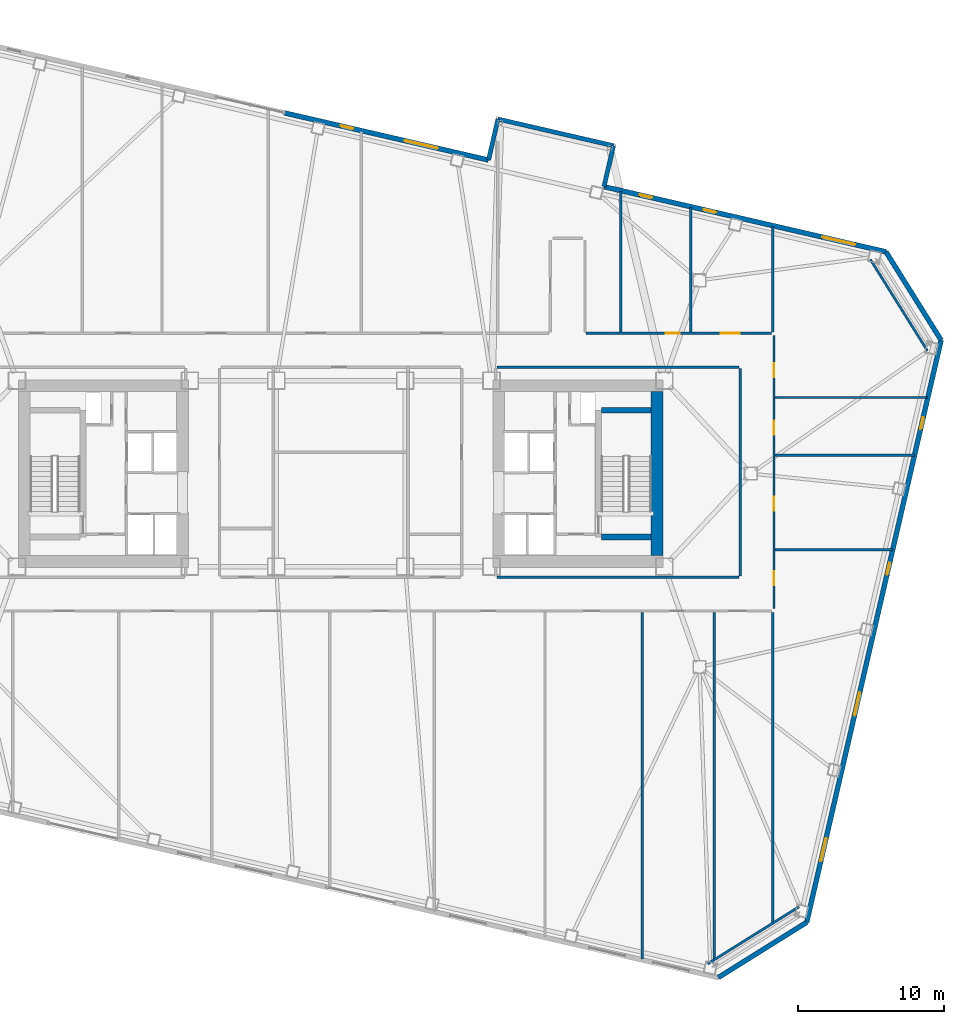
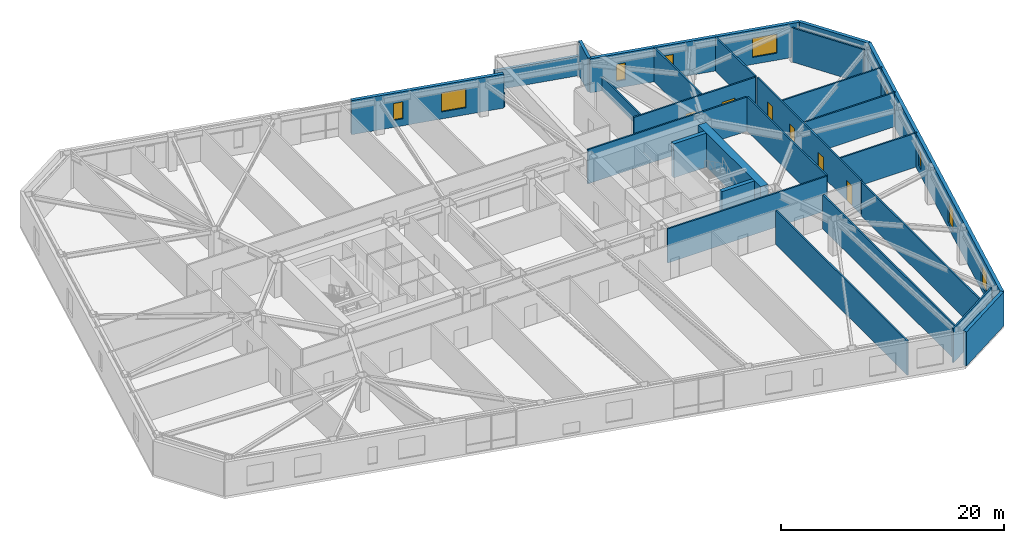
# One storey, part 14 of 20: 27 walls, 9 windows, 6 doors, 15 openings.
"""IFC4 building model written with IfcOpenShell, lengths in metres."""

from ifc_helpers import new_model, si_unit, direction, frame, frame_2d, origin, place, context, subcontext, project, spatial, rectangle, extrude, material, layer, layer_set, type_object, element, fill, save


model = new_model("IFC4")

# Units and contexts
model_context = context("Model", 3, precision=1e-05, world=origin(), true_north=direction((0.0, 1.0)))
body_context = subcontext(model_context, "Body", "Model", "MODEL_VIEW")
ifc_project = project(units=[si_unit("LENGTHUNIT", "METRE"), si_unit("AREAUNIT", "SQUARE_METRE"), si_unit("VOLUMEUNIT", "CUBIC_METRE"), si_unit("PLANEANGLEUNIT", "RADIAN"), si_unit("MASSUNIT", "GRAM", prefix="KILO")], contexts=[model_context])

# Site, building, storey
site_placement = place(None, origin())
site = spatial("IfcSite", under=ifc_project, at=site_placement, CompositionType="ELEMENT")
building_placement = place(site_placement, origin())
building = spatial("IfcBuilding", under=site, at=building_placement, Name="Tavrogorsk Clinical Tower", CompositionType="ELEMENT")
storey_placement = place(building_placement, frame((0.0, 0.0, 67.39990234375)))
storey = spatial("IfcBuildingStorey", under=building, at=storey_placement, Name="L14", CompositionType="ELEMENT", Elevation=67.39990234375)

# Walls
ifc_material_1 = material(Name="Lightweight concrete blockwork B15", Category="masonry")
ifc_layer_1 = layer(ifc_material_1, 0.159912109375)
ifc_layer_set_1 = layer_set([ifc_layer_1], Name="Lightweight concrete blockwork B15")
wall_type_1 = type_object("IfcWallType", Name="PartitionWall_160", PredefinedType="PARTITIONING", material=ifc_layer_set_1)
for number, where, z_axis, x_axis, name in (
    (1, (25.0595703125, -33.46826171875, 0.0), (0.0, 0.0, 1.0), (0.848043064089, 0.529927317139, 0.0), "L14 Corner Exoskeleton Brace Furring Wall 1"),
    (2, (40.059814453125, 8.389404296875, 0.0), (0.0, 0.0, 1.0), (-0.529927317139, 0.848043064089, 0.0), "L14 Corner Exoskeleton Brace Furring Wall 2"),
):
    element("IfcWall", number, at=place(storey_placement, frame(where, z_axis=z_axis, x_axis=x_axis)), inside=storey, type_object=wall_type_1, Name=name, PredefinedType="PARTITIONING", context=body_context, shape_type="SweptSolid", body=[
        extrude(rectangle(XDim=7.353759765625, YDim=0.159912109375, at=frame_2d((3.6767578125, 0.0))), origin(), (0.0, 0.0, 1.0), 3.739990234375),
    ])

# Wall, openings, doors
wall_1_placement = place(storey_placement, frame((16.764892578125, 9.580078125, 0.0), z_axis=(0.0, 0.0, 1.0), x_axis=(1.0, 0.0, 0.0)))
wall_1 = element("IfcWall", 3, at=wall_1_placement, inside=storey, type_object=wall_type_1, Name="L14 Corridor Partition 06", PredefinedType="PARTITIONING", context=body_context, shape_type="SweptSolid", body=[
    extrude(rectangle(XDim=12.650146484375, YDim=0.159912109375, at=frame_2d((6.3251953125, 0.0))), origin(), (0.0, 0.0, 1.0), 3.739990234375),
])
opening_1_placement = place(wall_1_placement, frame((5.4384765625, 0.0, 0.0)))
opening_1 = element("IfcOpeningElement", 4, at=opening_1_placement, cuts=wall_1, Name="Opening ID-02", PredefinedType="OPENING", context=body_context, shape_type="SweptSolid", body=[
    extrude(rectangle(XDim=0.949951171875, YDim=2.199951171875, at=frame_2d((0.47509765625, 1.10009765625))), frame((0.0, 0.08984375, 0.0), z_axis=(0.0, -1.0, 0.0), x_axis=(1.0, 0.0, 0.0)), (0.0, 0.0, 1.0), 0.179931640625),
])
opening_2_placement = place(wall_1_placement, frame((9.17578125, 0.0, 0.0)))
opening_2 = element("IfcOpeningElement", 5, at=opening_2_placement, cuts=wall_1, Name="Opening ID-01", PredefinedType="OPENING", context=body_context, shape_type="SweptSolid", body=[
    extrude(rectangle(XDim=1.300048828125, YDim=2.199951171875, at=frame_2d((0.64990234375, 1.10009765625))), frame((0.0, 0.08984375, 0.0), z_axis=(0.0, -1.0, 0.0), x_axis=(1.0, 0.0, 0.0)), (0.0, 0.0, 1.0), 0.179931640625),
])
ifc_material_2 = material(Name="Laminated timber leaf on aluminium frame", Category="wood")
door_type_1 = type_object("IfcDoorType", Name="InteriorDoor_ID02_950", OperationType="NOTDEFINED", PredefinedType="DOOR", material=ifc_material_2)
door_1_placement = place(opening_1_placement, origin())
door_1 = element("IfcDoor", 6, at=door_1_placement, inside=storey, type_object=door_type_1, Name="L14 North Multidisciplinary Case Room 05 Door", OperationType="SINGLE_SWING_RIGHT", OverallHeight=2.199951171875, OverallWidth=0.949951171875, PredefinedType="DOOR", context=body_context, shape_type="SweptSolid", body=[
    extrude(rectangle(XDim=0.949951171875, YDim=2.199951171875, at=frame_2d((0.47509765625, 1.10009765625))), frame((0.0, 0.02490234375, 0.0), z_axis=(0.0, -1.0, 0.0), x_axis=(1.0, 0.0, 0.0)), (0.0, 0.0, 1.0), 0.050048828125),
])
fill(opening_1, door_1)
ifc_material_3 = material(Name="Antibacterial HPL medical leaf on aluminium frame", Category="aluminium")
door_type_2 = type_object("IfcDoorType", Name="WardBedDoor_ID01_1300", OperationType="NOTDEFINED", PredefinedType="DOOR", material=ifc_material_3)
door_2_placement = place(opening_2_placement, origin())
door_2 = element("IfcDoor", 7, at=door_2_placement, inside=storey, type_object=door_type_2, Name="L14 North Inpatient Clinical Ward 06 Door", OperationType="SINGLE_SWING_LEFT", OverallHeight=2.199951171875, OverallWidth=1.300048828125, PredefinedType="DOOR", context=body_context, shape_type="SweptSolid", body=[
    extrude(rectangle(XDim=1.300048828125, YDim=2.199951171875, at=frame_2d((0.64990234375, 1.10009765625))), frame((0.0, 0.02490234375, 0.0), z_axis=(0.0, -1.0, 0.0), x_axis=(1.0, 0.0, 0.0)), (0.0, 0.0, 1.0), 0.050048828125),
])
fill(opening_2, door_2)

wall_2_placement = place(storey_placement, frame((29.580078125, 9.4150390625, 0.0), z_axis=(0.0, 0.0, 1.0), x_axis=(0.0, -1.0, 0.0)))
wall_2 = element("IfcWall", 8, at=wall_2_placement, inside=storey, type_object=wall_type_1, Name="L14 Corridor Partition 07", PredefinedType="PARTITIONING", context=body_context, shape_type="SweptSolid", body=[
    extrude(rectangle(XDim=18.630126953125, YDim=0.159912109375, at=frame_2d((9.31494140625, 0.0))), origin(), (0.0, 0.0, 1.0), 3.739990234375),
])
opening_3_placement = place(wall_2_placement, frame((16.080810546875, 0.0, 0.0)))
opening_3 = element("IfcOpeningElement", 9, at=opening_3_placement, cuts=wall_2, Name="Opening ID-02", PredefinedType="OPENING", context=body_context, shape_type="SweptSolid", body=[
    extrude(rectangle(XDim=0.949951171875, YDim=2.199951171875, at=frame_2d((0.47509765625, 1.10009765625))), frame((0.0, 0.08984375, 0.0), z_axis=(0.0, -1.0, 0.0), x_axis=(1.0, 0.0, 0.0)), (0.0, 0.0, 1.0), 0.179931640625),
])
opening_4_placement = place(wall_2_placement, frame((11.0, 0.0, 0.0)))
opening_4 = element("IfcOpeningElement", 10, at=opening_4_placement, cuts=wall_2, Name="Opening ID-02", PredefinedType="OPENING", context=body_context, shape_type="SweptSolid", body=[
    extrude(rectangle(XDim=0.949951171875, YDim=2.199951171875, at=frame_2d((0.47509765625, 1.10009765625))), frame((0.0, 0.08984375, 0.0), z_axis=(0.0, -1.0, 0.0), x_axis=(1.0, 0.0, 0.0)), (0.0, 0.0, 1.0), 0.179931640625),
])
opening_5_placement = place(wall_2_placement, frame((5.800048828125, 0.0, 0.0)))
opening_5 = element("IfcOpeningElement", 11, at=opening_5_placement, cuts=wall_2, Name="Opening ID-02", PredefinedType="OPENING", context=body_context, shape_type="SweptSolid", body=[
    extrude(rectangle(XDim=0.949951171875, YDim=2.199951171875, at=frame_2d((0.47509765625, 1.10009765625))), frame((0.0, 0.08984375, 0.0), z_axis=(0.0, -1.0, 0.0), x_axis=(1.0, 0.0, 0.0)), (0.0, 0.0, 1.0), 0.179931640625),
])
opening_6_placement = place(wall_2_placement, frame((1.869140625, 0.0, 0.0)))
opening_6 = element("IfcOpeningElement", 12, at=opening_6_placement, cuts=wall_2, Name="Opening ID-02", PredefinedType="OPENING", context=body_context, shape_type="SweptSolid", body=[
    extrude(rectangle(XDim=0.949951171875, YDim=2.199951171875, at=frame_2d((0.47509765625, 1.10009765625))), frame((0.0, 0.08984375, 0.0), z_axis=(0.0, -1.0, 0.0), x_axis=(1.0, 0.0, 0.0)), (0.0, 0.0, 1.0), 0.179931640625),
])
door_3_placement = place(opening_3_placement, origin())
door_3 = element("IfcDoor", 13, at=door_3_placement, inside=storey, type_object=door_type_1, Name="L14 E Senior Clinician Suite 1 Door", OperationType="SINGLE_SWING_LEFT", OverallHeight=2.199951171875, OverallWidth=0.949951171875, PredefinedType="DOOR", context=body_context, shape_type="SweptSolid", body=[
    extrude(rectangle(XDim=0.949951171875, YDim=2.199951171875, at=frame_2d((0.47509765625, 1.10009765625))), frame((0.0, 0.02490234375, 0.0), z_axis=(0.0, -1.0, 0.0), x_axis=(1.0, 0.0, 0.0)), (0.0, 0.0, 1.0), 0.050048828125),
])
fill(opening_3, door_3)
door_4_placement = place(opening_4_placement, origin())
door_4 = element("IfcDoor", 14, at=door_4_placement, inside=storey, type_object=door_type_1, Name="L14 E Multidisciplinary Seminar Suite 2 Door", OperationType="SINGLE_SWING_RIGHT", OverallHeight=2.199951171875, OverallWidth=0.949951171875, PredefinedType="DOOR", context=body_context, shape_type="SweptSolid", body=[
    extrude(rectangle(XDim=0.949951171875, YDim=2.199951171875, at=frame_2d((0.47509765625, 1.10009765625))), frame((0.0, 0.02490234375, 0.0), z_axis=(0.0, -1.0, 0.0), x_axis=(1.0, 0.0, 0.0)), (0.0, 0.0, 1.0), 0.050048828125),
])
fill(opening_4, door_4)
door_5_placement = place(opening_5_placement, origin())
door_5 = element("IfcDoor", 15, at=door_5_placement, inside=storey, type_object=door_type_1, Name="L14 E Specialist Consultation Room 3 Door", OperationType="SINGLE_SWING_LEFT", OverallHeight=2.199951171875, OverallWidth=0.949951171875, PredefinedType="DOOR", context=body_context, shape_type="SweptSolid", body=[
    extrude(rectangle(XDim=0.949951171875, YDim=2.199951171875, at=frame_2d((0.47509765625, 1.10009765625))), frame((0.0, 0.02490234375, 0.0), z_axis=(0.0, -1.0, 0.0), x_axis=(1.0, 0.0, 0.0)), (0.0, 0.0, 1.0), 0.050048828125),
])
fill(opening_5, door_5)
door_6_placement = place(opening_6_placement, origin())
door_6 = element("IfcDoor", 16, at=door_6_placement, inside=storey, type_object=door_type_1, Name="L14 E Clinical Fellows' Study 4 Door", OperationType="SINGLE_SWING_RIGHT", OverallHeight=2.199951171875, OverallWidth=0.949951171875, PredefinedType="DOOR", context=body_context, shape_type="SweptSolid", body=[
    extrude(rectangle(XDim=0.949951171875, YDim=2.199951171875, at=frame_2d((0.47509765625, 1.10009765625))), frame((0.0, 0.02490234375, 0.0), z_axis=(0.0, -1.0, 0.0), x_axis=(1.0, 0.0, 0.0)), (0.0, 0.0, 1.0), 0.050048828125),
])
fill(opening_6, door_6)

# Walls
for number, where, z_axis, x_axis, name in (
    (17, (27.18505859375, 7.27001953125, 0.0), (0.0, 0.0, 1.0), (-1.0, 0.0, 0.0), "L14 Corridor Partition 09"),
    (18, (10.6650390625, -7.070068359375, 0.0), (0.0, 0.0, 1.0), (1.0, 0.0, 0.0), "L14 Corridor Partition 12"),
):
    element("IfcWall", number, at=place(storey_placement, frame(where, z_axis=z_axis, x_axis=x_axis)), inside=storey, type_object=wall_type_1, Name=name, PredefinedType="PARTITIONING", context=body_context, shape_type="SweptSolid", body=[
        extrude(rectangle(XDim=16.52001953125, YDim=0.159912109375, at=frame_2d((8.260009765625, 0.0))), origin(), (0.0, 0.0, 1.0), 3.739990234375),
    ])
wall_3_placement = place(storey_placement, frame((27.27001953125, -6.985107421875, 0.0), z_axis=(0.0, 0.0, 1.0), x_axis=(0.0, 1.0, 0.0)))
element("IfcWall", 19, at=wall_3_placement, inside=storey, type_object=wall_type_1, Name="L14 Corridor Partition 13", PredefinedType="PARTITIONING", context=body_context, shape_type="SweptSolid", body=[
    extrude(rectangle(XDim=14.170166015625, YDim=0.159912109375, at=frame_2d((7.0849609375, 0.0))), origin(), (0.0, 0.0, 1.0), 3.739990234375),
])
wall_4_placement = place(storey_placement, frame((29.5, 9.6650390625, 0.0), z_axis=(0.0, 0.0, 1.0), x_axis=(0.0, 1.0, 0.0)))
element("IfcWall", 20, at=wall_4_placement, inside=storey, type_object=wall_type_1, Name="L14 NE Wing Closure Partition", PredefinedType="PARTITIONING", context=body_context, shape_type="SweptSolid", body=[
    extrude(rectangle(XDim=7.197265625, YDim=0.159912109375, at=frame_2d((3.5986328125, 0.0))), origin(), (0.0, 0.0, 1.0), 3.739990234375),
])
wall_5_placement = place(storey_placement, frame((29.5, -30.702880859375, 0.0), z_axis=(0.0, 0.0, 1.0), x_axis=(0.0, 1.0, 0.0)))
element("IfcWall", 21, at=wall_5_placement, inside=storey, type_object=wall_type_1, Name="L14 SE Wing Closure Partition", PredefinedType="PARTITIONING", context=body_context, shape_type="SweptSolid", body=[
    extrude(rectangle(XDim=21.23779296875, YDim=0.159912109375, at=frame_2d((10.618896484375, 0.0))), origin(), (0.0, 0.0, 1.0), 3.739990234375),
])
wall_6_placement = place(storey_placement, frame((19.126953125, 9.6650390625, 0.0), z_axis=(0.0, 0.0, 1.0), x_axis=(0.0, 1.0, 0.0)))
element("IfcWall", 22, at=wall_6_placement, inside=storey, type_object=wall_type_1, Name="L14 North Room Partition 4", PredefinedType="PARTITIONING", context=body_context, shape_type="SweptSolid", body=[
    extrude(rectangle(XDim=9.592041015625, YDim=0.159912109375, at=frame_2d((4.7958984375, 0.0))), origin(), (0.0, 0.0, 1.0), 1.53515625),
])
wall_7_placement = place(storey_placement, frame((23.89990234375, 9.6650390625, 0.0), z_axis=(0.0, 0.0, 1.0), x_axis=(0.0, 1.0, 0.0)))
element("IfcWall", 23, at=wall_7_placement, inside=storey, type_object=wall_type_1, Name="L14 North Room Partition 5", PredefinedType="PARTITIONING", context=body_context, shape_type="SweptSolid", body=[
    extrude(rectangle(XDim=8.490234375, YDim=0.159912109375, at=frame_2d((4.2451171875, 0.0))), origin(), (0.0, 0.0, 1.0), 3.739990234375),
])
wall_8_placement = place(storey_placement, frame((20.60009765625, -33.136962890625, 0.0), z_axis=(0.0, 0.0, 1.0), x_axis=(0.0, 1.0, 0.0)))
element("IfcWall", 24, at=wall_8_placement, inside=storey, type_object=wall_type_1, Name="L14 South Room Partition 4", PredefinedType="PARTITIONING", context=body_context, shape_type="SweptSolid", body=[
    extrude(rectangle(XDim=23.671875, YDim=0.159912109375, at=frame_2d((11.8359375, 0.0))), origin(), (0.0, 0.0, 1.0), 3.739990234375),
])
wall_9_placement = place(storey_placement, frame((25.5, -33.202392578125, 0.0), z_axis=(0.0, 0.0, 1.0), x_axis=(0.0, 1.0, 0.0)))
element("IfcWall", 25, at=wall_9_placement, inside=storey, type_object=wall_type_1, Name="L14 South Sub-Partition 5", PredefinedType="PARTITIONING", context=body_context, shape_type="SweptSolid", body=[
    extrude(rectangle(XDim=23.7373046875, YDim=0.159912109375, at=frame_2d((11.86865234375, 0.0))), origin(), (0.0, 0.0, 1.0), 3.739990234375),
])
wall_10_placement = place(storey_placement, frame((29.6650390625, -5.199951171875, 0.0), z_axis=(0.0, 0.0, 1.0), x_axis=(1.0, 0.0, 0.0)))
element("IfcWall", 26, at=wall_10_placement, inside=storey, type_object=wall_type_1, Name="L14 E Wing Divider 1", PredefinedType="PARTITIONING", context=body_context, shape_type="SweptSolid", body=[
    extrude(rectangle(XDim=8.007080078125, YDim=0.159912109375, at=frame_2d((4.00341796875, 0.0))), origin(), (0.0, 0.0, 1.0), 3.739990234375),
])
wall_11_placement = place(storey_placement, frame((29.6650390625, 1.25, 0.0), z_axis=(0.0, 0.0, 1.0), x_axis=(1.0, 0.0, 0.0)))
element("IfcWall", 27, at=wall_11_placement, inside=storey, type_object=wall_type_1, Name="L14 E Wing Divider 2", PredefinedType="PARTITIONING", context=body_context, shape_type="SweptSolid", body=[
    extrude(rectangle(XDim=9.496337890625, YDim=0.159912109375, at=frame_2d((4.748046875, 0.0))), origin(), (0.0, 0.0, 1.0), 3.739990234375),
])
wall_12_placement = place(storey_placement, frame((29.6650390625, 5.199951171875, 0.0), z_axis=(0.0, 0.0, 1.0), x_axis=(1.0, 0.0, 0.0)))
element("IfcWall", 28, at=wall_12_placement, inside=storey, type_object=wall_type_1, Name="L14 E Wing Divider 3", PredefinedType="PARTITIONING", context=body_context, shape_type="SweptSolid", body=[
    extrude(rectangle(XDim=10.408203125, YDim=0.159912109375, at=frame_2d((5.2041015625, 0.0))), origin(), (0.0, 0.0, 1.0), 3.739990234375),
])

# Wall, openings, windows
ifc_material_4 = material(Name="Precast concrete B45 with limestone cladding", Category="masonry")
ifc_layer_2 = layer(ifc_material_4, 0.340087890625)
ifc_layer_set_2 = layer_set([ifc_layer_2], Name="Precast concrete B45 with limestone cladding")
wall_type_2 = type_object("IfcWallType", Name="PrecastLimestoneWall_340", PredefinedType="STANDARD", material=ifc_layer_set_2)
wall_13_placement = place(storey_placement, frame((37.228515625, 15.14990234375, 0.0), z_axis=(0.0, 0.0, 1.0), x_axis=(-0.974368689865, 0.224957009695, 0.0)))
wall_13 = element("IfcWall", 29, at=wall_13_placement, inside=storey, type_object=wall_type_2, Name="L14 N Limestone Facade Wall 1", PredefinedType="STANDARD", context=body_context, shape_type="SweptSolid", body=[
    extrude(rectangle(XDim=19.749755859375, YDim=0.340087890625, at=frame_2d((9.875, 0.0))), origin(), (0.0, 0.0, 1.0), 3.739990234375),
])
opening_7_placement = place(wall_13_placement, frame((16.39501953125, 0.0, 0.77001953125)))
opening_7 = element("IfcOpeningElement", 30, at=opening_7_placement, cuts=wall_13, Name="Opening WN-06", PredefinedType="OPENING", context=body_context, shape_type="SweptSolid", body=[
    extrude(rectangle(XDim=0.85009765625, YDim=1.85009765625, at=frame_2d((0.425048828125, 0.925048828125))), frame((0.0, 0.179931640625, 0.0), z_axis=(0.0, -1.0, 0.0), x_axis=(1.0, 0.0, 0.0)), (0.0, 0.0, 1.0), 0.360107421875),
])
opening_8_placement = place(wall_13_placement, frame((11.91064453125, 0.0, 0.77001953125)))
opening_8 = element("IfcOpeningElement", 31, at=opening_8_placement, cuts=wall_13, Name="Opening WN-06", PredefinedType="OPENING", context=body_context, shape_type="SweptSolid", body=[
    extrude(rectangle(XDim=0.85009765625, YDim=1.85009765625, at=frame_2d((0.425048828125, 0.925048828125))), frame((0.0, 0.179931640625, 0.0), z_axis=(0.0, -1.0, 0.0), x_axis=(1.0, 0.0, 0.0)), (0.0, 0.0, 1.0), 0.360107421875),
])
opening_9_placement = place(wall_13_placement, frame((2.162109375, 0.0, 0.77001953125)))
opening_9 = element("IfcOpeningElement", 32, at=opening_9_placement, cuts=wall_13, Name="Opening WN-12", PredefinedType="OPENING", context=body_context, shape_type="SweptSolid", body=[
    extrude(rectangle(XDim=2.300048828125, YDim=2.10009765625, at=frame_2d((1.14990234375, 1.050048828125))), frame((0.0, 0.179931640625, 0.0), z_axis=(0.0, -1.0, 0.0), x_axis=(1.0, 0.0, 0.0)), (0.0, 0.0, 1.0), 0.360107421875),
])
ifc_material_5 = material(Name="Thermally broken aluminium frame and triple IGU", Category="aluminium")
window_type_1 = type_object("IfcWindowType", Name="MullionSubWin_850x1850", PartitioningType="SINGLE_PANEL", PredefinedType="WINDOW", material=ifc_material_5)
window_1_placement = place(opening_7_placement, origin())
window_1 = element("IfcWindow", 33, at=window_1_placement, inside=storey, type_object=window_type_1, Name="L14 N Mullion Split Window 07A", OverallHeight=1.85009765625, OverallWidth=0.85009765625, PartitioningType="SINGLE_PANEL", PredefinedType="WINDOW", context=body_context, shape_type="SweptSolid", body=[
    extrude(rectangle(XDim=0.85009765625, YDim=1.85009765625, at=frame_2d((0.425048828125, 0.925048828125))), frame((0.0, 0.030029296875, 0.0), z_axis=(0.0, -1.0, 0.0), x_axis=(1.0, 0.0, 0.0)), (0.0, 0.0, 1.0), 0.06005859375),
])
fill(opening_7, window_1)
window_2_placement = place(opening_8_placement, origin())
window_2 = element("IfcWindow", 34, at=window_2_placement, inside=storey, type_object=window_type_1, Name="L14 N Mullion Split Window 08A", OverallHeight=1.85009765625, OverallWidth=0.85009765625, PartitioningType="SINGLE_PANEL", PredefinedType="WINDOW", context=body_context, shape_type="SweptSolid", body=[
    extrude(rectangle(XDim=0.85009765625, YDim=1.85009765625, at=frame_2d((0.425048828125, 0.925048828125))), frame((0.0, 0.030029296875, 0.0), z_axis=(0.0, -1.0, 0.0), x_axis=(1.0, 0.0, 0.0)), (0.0, 0.0, 1.0), 0.06005859375),
])
fill(opening_8, window_2)
ifc_material_6 = material(Name="Thermally broken aluminium frame and triple IGU", Category="aluminium")
window_type_2 = type_object("IfcWindowType", Name="RecoveryWin_2300x2100", PartitioningType="DOUBLE_PANEL_VERTICAL", PredefinedType="WINDOW", material=ifc_material_6)
window_3_placement = place(opening_9_placement, origin())
window_3 = element("IfcWindow", 35, at=window_3_placement, inside=storey, type_object=window_type_2, Name="L14 N Chicago Window 10", OverallHeight=2.10009765625, OverallWidth=2.300048828125, PartitioningType="SINGLE_PANEL", PredefinedType="WINDOW", context=body_context, shape_type="SweptSolid", body=[
    extrude(rectangle(XDim=2.300048828125, YDim=2.10009765625, at=frame_2d((1.14990234375, 1.050048828125))), frame((0.0, 0.030029296875, 0.0), z_axis=(0.0, -1.0, 0.0), x_axis=(1.0, 0.0, 0.0)), (0.0, 0.0, 1.0), 0.06005859375),
])
fill(opening_9, window_3)

wall_14_placement = place(storey_placement, frame((10.09228515625, 21.414794921875, 0.0), z_axis=(0.0, 0.0, 1.0), x_axis=(-0.97436816851, 0.224959267855, 0.0)))
wall_14 = element("IfcWall", 36, at=wall_14_placement, inside=storey, type_object=wall_type_2, Name="L14 N Limestone Facade Wall 2", PredefinedType="STANDARD", context=body_context, shape_type="SweptSolid", body=[
    extrude(rectangle(XDim=14.29833984375, YDim=0.340087890625, at=frame_2d((7.149169921875, 0.0))), origin(), (0.0, 0.0, 1.0), 3.739990234375),
])
opening_10_placement = place(wall_14_placement, frame((9.4921875, 0.0, 0.77001953125)))
opening_10 = element("IfcOpeningElement", 37, at=opening_10_placement, cuts=wall_14, Name="Opening WN-06", PredefinedType="OPENING", context=body_context, shape_type="SweptSolid", body=[
    extrude(rectangle(XDim=0.85009765625, YDim=1.85009765625, at=frame_2d((0.425048828125, 0.925048828125))), frame((0.0, 0.179931640625, 0.0), z_axis=(0.0, -1.0, 0.0), x_axis=(1.0, 0.0, 0.0)), (0.0, 0.0, 1.0), 0.360107421875),
])
opening_11_placement = place(wall_14_placement, frame((3.557861328125, 0.0, 0.77001953125)))
opening_11 = element("IfcOpeningElement", 38, at=opening_11_placement, cuts=wall_14, Name="Opening WN-12", PredefinedType="OPENING", context=body_context, shape_type="SweptSolid", body=[
    extrude(rectangle(XDim=2.300048828125, YDim=2.10009765625, at=frame_2d((1.14990234375, 1.050048828125))), frame((0.0, 0.179931640625, 0.0), z_axis=(0.0, -1.0, 0.0), x_axis=(1.0, 0.0, 0.0)), (0.0, 0.0, 1.0), 0.360107421875),
])
window_4_placement = place(opening_10_placement, origin())
window_4 = element("IfcWindow", 39, at=window_4_placement, inside=storey, type_object=window_type_1, Name="L14 N Mullion Split Window 05B", OverallHeight=1.85009765625, OverallWidth=0.85009765625, PartitioningType="SINGLE_PANEL", PredefinedType="WINDOW", context=body_context, shape_type="SweptSolid", body=[
    extrude(rectangle(XDim=0.85009765625, YDim=1.85009765625, at=frame_2d((0.425048828125, 0.925048828125))), frame((0.0, 0.030029296875, 0.0), z_axis=(0.0, -1.0, 0.0), x_axis=(1.0, 0.0, 0.0)), (0.0, 0.0, 1.0), 0.06005859375),
])
fill(opening_10, window_4)
window_5_placement = place(opening_11_placement, origin())
window_5 = element("IfcWindow", 40, at=window_5_placement, inside=storey, type_object=window_type_2, Name="L14 N Chicago Window 06", OverallHeight=2.10009765625, OverallWidth=2.300048828125, PartitioningType="SINGLE_PANEL", PredefinedType="WINDOW", context=body_context, shape_type="SweptSolid", body=[
    extrude(rectangle(XDim=2.300048828125, YDim=2.10009765625, at=frame_2d((1.14990234375, 1.050048828125))), frame((0.0, 0.030029296875, 0.0), z_axis=(0.0, -1.0, 0.0), x_axis=(1.0, 0.0, 0.0)), (0.0, 0.0, 1.0), 0.06005859375),
])
fill(opening_11, window_5)

wall_15_placement = place(storey_placement, frame((31.820068359375, -30.636962890625, 0.0), z_axis=(0.0, 0.0, 1.0), x_axis=(0.224949969076, 0.974370315338, 0.0)))
wall_15 = element("IfcWall", 41, at=wall_15_placement, inside=storey, type_object=wall_type_2, Name="L14 E Pleated Limestone Wing Wall", PredefinedType="STANDARD", context=body_context, shape_type="SweptSolid", body=[
    extrude(rectangle(XDim=40.800048828125, YDim=0.340087890625, at=frame_2d((20.39990234375, 0.0))), origin(), (0.0, 0.0, 1.0), 3.739990234375),
])
opening_12_placement = place(wall_15_placement, frame((4.300048828125, 0.0, 0.580078125)))
opening_12 = element("IfcOpeningElement", 42, at=opening_12_placement, cuts=wall_15, Name="Opening WN-07", PredefinedType="OPENING", context=body_context, shape_type="SweptSolid", body=[
    extrude(rectangle(XDim=1.60009765625, YDim=2.300048828125, at=frame_2d((0.800048828125, 1.14990234375))), frame((0.0, 0.179931640625, 0.0), z_axis=(0.0, -1.0, 0.0), x_axis=(1.0, 0.0, 0.0)), (0.0, 0.0, 1.0), 0.360107421875),
])
opening_13_placement = place(wall_15_placement, frame((14.5, 0.0, 0.580078125)))
opening_13 = element("IfcOpeningElement", 43, at=opening_13_placement, cuts=wall_15, Name="Opening WN-07", PredefinedType="OPENING", context=body_context, shape_type="SweptSolid", body=[
    extrude(rectangle(XDim=1.60009765625, YDim=2.300048828125, at=frame_2d((0.800048828125, 1.14990234375))), frame((0.0, 0.179931640625, 0.0), z_axis=(0.0, -1.0, 0.0), x_axis=(1.0, 0.0, 0.0)), (0.0, 0.0, 1.0), 0.360107421875),
])
opening_14_placement = place(wall_15_placement, frame((24.35009765625, 0.0, 0.75)))
opening_14 = element("IfcOpeningElement", 44, at=opening_14_placement, cuts=wall_15, Name="Opening WN-06", PredefinedType="OPENING", context=body_context, shape_type="SweptSolid", body=[
    extrude(rectangle(XDim=0.85009765625, YDim=1.85009765625, at=frame_2d((0.425048828125, 0.925048828125))), frame((0.0, 0.179931640625, 0.0), z_axis=(0.0, -1.0, 0.0), x_axis=(1.0, 0.0, 0.0)), (0.0, 0.0, 1.0), 0.360107421875),
])
opening_15_placement = place(wall_15_placement, frame((34.550048828125, 0.0, 0.75)))
opening_15 = element("IfcOpeningElement", 45, at=opening_15_placement, cuts=wall_15, Name="Opening WN-06", PredefinedType="OPENING", context=body_context, shape_type="SweptSolid", body=[
    extrude(rectangle(XDim=0.85009765625, YDim=1.85009765625, at=frame_2d((0.425048828125, 0.925048828125))), frame((0.0, 0.179931640625, 0.0), z_axis=(0.0, -1.0, 0.0), x_axis=(1.0, 0.0, 0.0)), (0.0, 0.0, 1.0), 0.360107421875),
])
window_6_placement = place(opening_14_placement, origin())
window_6 = element("IfcWindow", 46, at=window_6_placement, inside=storey, type_object=window_type_1, Name="L14 E Pleat Mullion Window 3A", OverallHeight=1.85009765625, OverallWidth=0.85009765625, PartitioningType="SINGLE_PANEL", PredefinedType="WINDOW", context=body_context, shape_type="SweptSolid", body=[
    extrude(rectangle(XDim=0.85009765625, YDim=1.85009765625, at=frame_2d((0.425048828125, 0.925048828125))), frame((0.0, 0.030029296875, 0.0), z_axis=(0.0, -1.0, 0.0), x_axis=(1.0, 0.0, 0.0)), (0.0, 0.0, 1.0), 0.06005859375),
])
fill(opening_14, window_6)
window_7_placement = place(opening_15_placement, origin())
window_7 = element("IfcWindow", 47, at=window_7_placement, inside=storey, type_object=window_type_1, Name="L14 E Pleat Mullion Window 4A", OverallHeight=1.85009765625, OverallWidth=0.85009765625, PartitioningType="SINGLE_PANEL", PredefinedType="WINDOW", context=body_context, shape_type="SweptSolid", body=[
    extrude(rectangle(XDim=0.85009765625, YDim=1.85009765625, at=frame_2d((0.425048828125, 0.925048828125))), frame((0.0, 0.030029296875, 0.0), z_axis=(0.0, -1.0, 0.0), x_axis=(1.0, 0.0, 0.0)), (0.0, 0.0, 1.0), 0.06005859375),
])
fill(opening_15, window_7)
ifc_material_7 = material(Name="Thermally broken aluminium frame and triple IGU", Category="aluminium")
window_type_3 = type_object("IfcWindowType", Name="PleatSlotWin_1600x2300", PartitioningType="SINGLE_PANEL", PredefinedType="WINDOW", material=ifc_material_7)
window_8_placement = place(opening_12_placement, origin())
window_8 = element("IfcWindow", 48, at=window_8_placement, inside=storey, type_object=window_type_3, Name="L14 E Pleat Slot Window 1", OverallHeight=2.300048828125, OverallWidth=1.60009765625, PartitioningType="SINGLE_PANEL", PredefinedType="WINDOW", context=body_context, shape_type="SweptSolid", body=[
    extrude(rectangle(XDim=1.60009765625, YDim=2.300048828125, at=frame_2d((0.800048828125, 1.14990234375))), frame((0.0, 0.030029296875, 0.0), z_axis=(0.0, -1.0, 0.0), x_axis=(1.0, 0.0, 0.0)), (0.0, 0.0, 1.0), 0.06005859375),
])
fill(opening_12, window_8)
window_9_placement = place(opening_13_placement, origin())
window_9 = element("IfcWindow", 49, at=window_9_placement, inside=storey, type_object=window_type_3, Name="L14 E Pleat Slot Window 2", OverallHeight=2.300048828125, OverallWidth=1.60009765625, PartitioningType="SINGLE_PANEL", PredefinedType="WINDOW", context=body_context, shape_type="SweptSolid", body=[
    extrude(rectangle(XDim=1.60009765625, YDim=2.300048828125, at=frame_2d((0.800048828125, 1.14990234375))), frame((0.0, 0.030029296875, 0.0), z_axis=(0.0, -1.0, 0.0), x_axis=(1.0, 0.0, 0.0)), (0.0, 0.0, 1.0), 0.06005859375),
])
fill(opening_13, window_9)

# Walls
for number, where, z_axis, x_axis, name in (
    (50, (25.78759765625, -34.406494140625, 0.0), (0.0, 0.0, 1.0), (0.848046504656, 0.529921811158, 0.0), "L14 Chamfered Corner Wall 1"),
    (51, (40.998046875, 9.117431640625, 0.0), (0.0, 0.0, 1.0), (-0.529921811158, 0.848046504656, 0.0), "L14 Chamfered Corner Wall 2"),
):
    element("IfcWall", number, at=place(storey_placement, frame(where, z_axis=z_axis, x_axis=x_axis)), inside=storey, type_object=wall_type_2, Name=name, PredefinedType="STANDARD", context=body_context, shape_type="SweptSolid", body=[
        extrude(rectangle(XDim=7.11328125, YDim=0.340087890625, at=frame_2d((3.556640625, 0.0))), origin(), (0.0, 0.0, 1.0), 3.739990234375),
    ])
wall_16_placement = place(storey_placement, frame((10.738037109375, 24.211181640625, 0.0), z_axis=(0.0, 0.0, 1.0), x_axis=(0.974371888243, -0.224943155936, 0.0)))
element("IfcWall", 52, at=wall_16_placement, inside=storey, type_object=wall_type_2, Name="L14 Day-Room Limestone Front DRB-02", PredefinedType="STANDARD", context=body_context, shape_type="SweptSolid", body=[
    extrude(rectangle(XDim=8.099853515625, YDim=0.300048828125, at=frame_2d((4.0498046875, 0.0))), origin(), (0.0, 0.0, 1.0), 2.135009765625),
])
ifc_material_8 = material(Name="Concrete B80", Category="concrete")
ifc_layer_3 = layer(ifc_material_8, 0.39990234375)
ifc_layer_set_3 = layer_set([ifc_layer_3], Name="Concrete B80")
wall_type_3 = type_object("IfcWallType", Name="ShearWall_400", PredefinedType="SHEAR", material=ifc_layer_set_3)
for number, where, z_axis, x_axis, name in (
    (53, (17.800048828125, -4.324951171875, 0.0), (0.0, 0.0, 1.0), (1.0, 0.0, 0.0), "L14 Core East Stair Shaft South Shear Wall"),
    (54, (17.800048828125, 4.324951171875, 0.0), (0.0, 0.0, 1.0), (1.0, 0.0, 0.0), "L14 Core East Stair Shaft North Shear Wall"),
):
    element("IfcWall", number, at=place(storey_placement, frame(where, z_axis=z_axis, x_axis=x_axis)), inside=storey, type_object=wall_type_3, Name=name, PredefinedType="SHEAR", context=body_context, shape_type="SweptSolid", body=[
        extrude(rectangle(XDim=3.39990234375, YDim=0.39990234375, at=frame_2d((1.699951171875, 0.0))), origin(), (0.0, 0.0, 1.0), 3.739990234375),
    ])
ifc_material_9 = material(Name="Concrete B80", Category="concrete")
ifc_layer_4 = layer(ifc_material_9, 0.800048828125)
ifc_layer_set_4 = layer_set([ifc_layer_4], Name="Concrete B80")
wall_type_4 = type_object("IfcWallType", Name="ShearWall_800", PredefinedType="SHEAR", material=ifc_layer_set_4)
wall_17_placement = place(storey_placement, frame((21.60009765625, -5.60009765625, 0.0), z_axis=(0.0, 0.0, 1.0), x_axis=(0.0, 1.0, 0.0)))
element("IfcWall", 55, at=wall_17_placement, inside=storey, type_object=wall_type_4, Name="L14 Core East End Shear Wall", PredefinedType="SHEAR", context=body_context, shape_type="SweptSolid", body=[
    extrude(rectangle(XDim=11.2001953125, YDim=0.800048828125, at=frame_2d((5.60009765625, 0.0))), origin(), (0.0, 0.0, 1.0), 3.739990234375),
])
ifc_material_10 = material(Name="Precast concrete B45 with mineral wool", Category="concrete")
ifc_layer_5 = layer(ifc_material_10, 0.300048828125)
ifc_layer_set_5 = layer_set([ifc_layer_5], Name="Precast concrete B45 with mineral wool")
wall_type_5 = type_object("IfcWallType", Name="SpandrelBackWall_300", PredefinedType="STANDARD", material=ifc_layer_set_5)
wall_18_placement = place(storey_placement, frame((10.09228515625, 21.414794921875, 0.0), z_axis=(0.0, 0.0, 1.0), x_axis=(0.225002397841, 0.97435820978, 0.0)))
element("IfcWall", 56, at=wall_18_placement, inside=storey, type_object=wall_type_5, Name="L14 Day-Room Cheek Wall DRB-02-L", PredefinedType="STANDARD", context=body_context, shape_type="SweptSolid", body=[
    extrude(rectangle(XDim=2.869873046875, YDim=0.300048828125, at=frame_2d((1.43505859375, 0.0))), origin(), (0.0, 0.0, 1.0), 1.53515625),
])
wall_19_placement = place(storey_placement, frame((17.98486328125, 19.5927734375, 0.0), z_axis=(0.0, 0.0, 1.0), x_axis=(0.224921635065, 0.974376856293, 0.0)))
element("IfcWall", 57, at=wall_19_placement, inside=storey, type_object=wall_type_5, Name="L14 Day-Room Cheek Wall DRB-02-R", PredefinedType="STANDARD", context=body_context, shape_type="SweptSolid", body=[
    extrude(rectangle(XDim=2.869873046875, YDim=0.300048828125, at=frame_2d((1.43505859375, 0.0))), origin(), (0.0, 0.0, 1.0), 3.739990234375),
])

save(model, "model.ifc")
